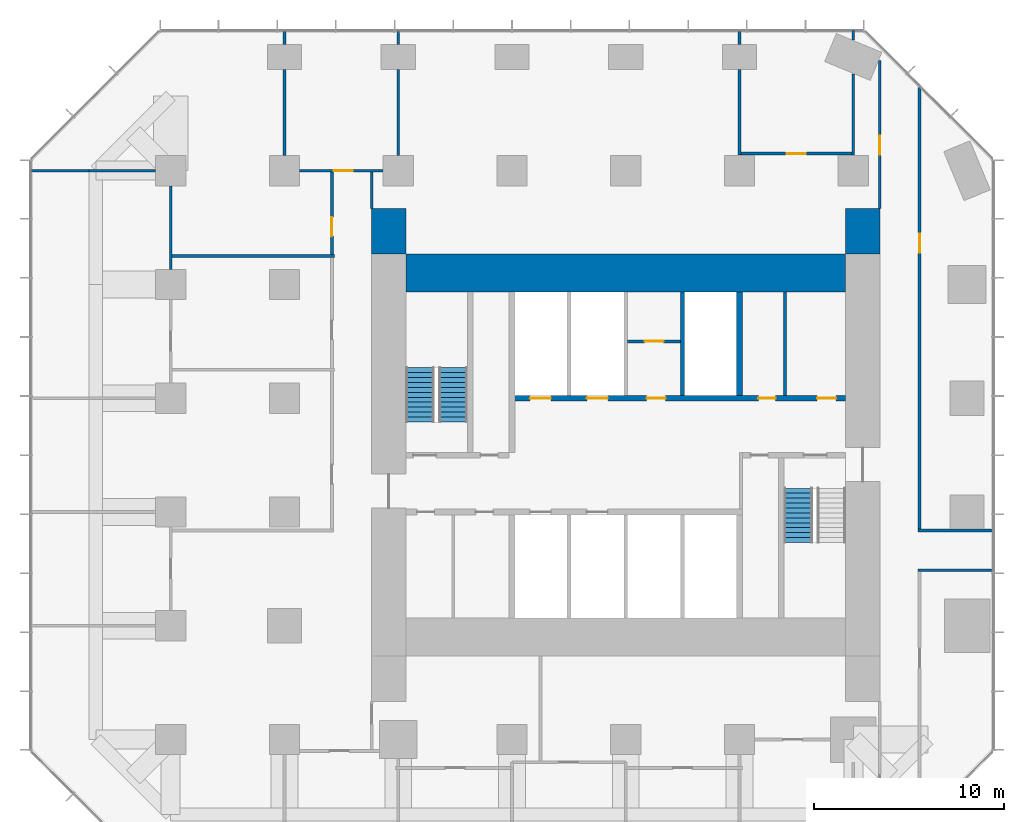
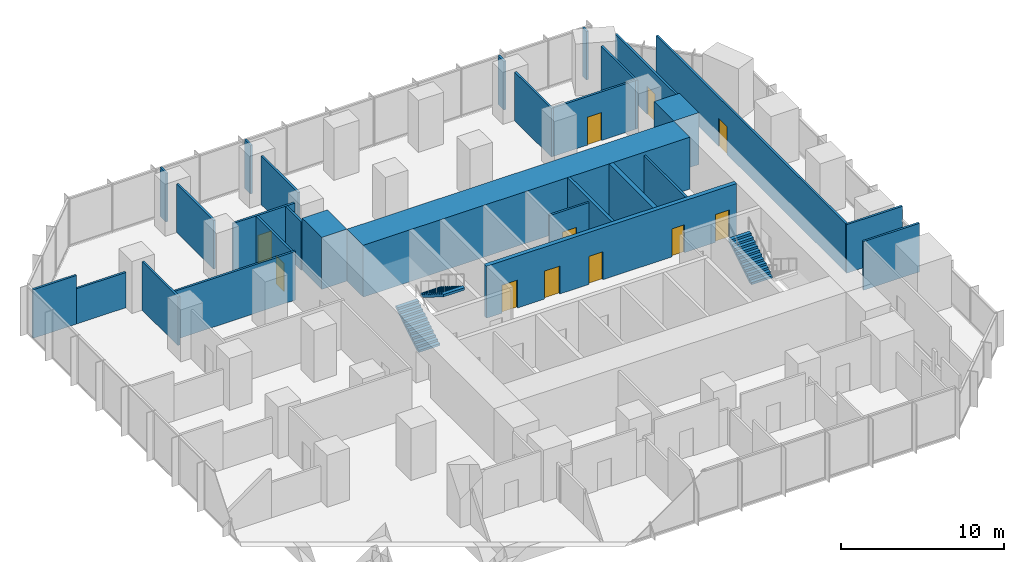
# One storey, part 11 of 13: 28 walls, 11 doors, 3 stair flights, 11 openings, 2 elements without a shape of their own.
"""IFC4 building model written with IfcOpenShell, lengths in metres."""

from ifc_helpers import new_model, si_unit, direction, frame, frame_2d, origin, place, context, subcontext, project, spatial, polyline, rectangle, outline, extrude, material, layer, layer_set, type_object, element, fill, aggregate, save


model = new_model("IFC4")

# Units and contexts
model_context = context("Model", 3, precision=1e-05, world=origin(), true_north=direction((0.0, 1.0)))
body_context = subcontext(model_context, "Body", "Model", "MODEL_VIEW")
ifc_project = project(units=[si_unit("LENGTHUNIT", "METRE"), si_unit("AREAUNIT", "SQUARE_METRE"), si_unit("VOLUMEUNIT", "CUBIC_METRE"), si_unit("PLANEANGLEUNIT", "RADIAN"), si_unit("MASSUNIT", "GRAM", prefix="KILO")], contexts=[model_context])

# Site, building, storey
site_placement = place(None, origin())
site = spatial("IfcSite", under=ifc_project, at=site_placement, CompositionType="ELEMENT")
building_placement = place(site_placement, origin())
building = spatial("IfcBuilding", under=site, at=building_placement, Name="Highveld Stack Headquarters", CompositionType="ELEMENT")
storey_placement = place(building_placement, frame((0.0, 0.0, 136.699951171875)))
storey = spatial("IfcBuildingStorey", under=building, at=storey_placement, Name="L33", CompositionType="ELEMENT", Elevation=136.699951171875)

# Wall
ifc_material_1 = material(Name="Concrete C60/75", Category="concrete")
ifc_layer_1 = layer(ifc_material_1, 2.0)
ifc_layer_set_1 = layer_set([ifc_layer_1], Name="Concrete C60/75")
wall_type_1 = type_object("IfcWallType", Name="CORE WALL 2000 C60/75", PredefinedType="SHEAR", material=ifc_layer_set_1)
wall_1_placement = place(storey_placement, frame((-5.60009765625, 12.60009765625, 0.0), z_axis=(0.0, 0.0, 1.0), x_axis=(1.0, 0.0, 0.0)))
element("IfcWall", 1, at=wall_1_placement, inside=storey, type_object=wall_type_1, Name="Core wall N L33", PredefinedType="SHEAR", context=body_context, shape_type="SweptSolid", body=[
    extrude(rectangle(XDim=23.2001953125, YDim=2.0, at=frame_2d((11.60009765625, 0.0))), origin(), (0.0, 0.0, 1.0), 3.900146484375),
])

# Wall, openings, doors
ifc_material_2 = material(Name="Concrete C60/75", Category="concrete")
ifc_layer_2 = layer(ifc_material_2, 0.300048828125)
ifc_layer_set_2 = layer_set([ifc_layer_2], Name="Concrete C60/75")
wall_type_2 = type_object("IfcWallType", Name="CORE WALL 300 C60/75", PredefinedType="SHEAR", material=ifc_layer_set_2)
wall_2_placement = place(storey_placement, frame((-0.14990234375, 6.0, 0.0), z_axis=(0.0, 0.0, 1.0), x_axis=(1.0, 0.0, 0.0)))
wall_2 = element("IfcWall", 2, at=wall_2_placement, inside=storey, type_object=wall_type_2, Name="Core wall I-Y6 L33", PredefinedType="SHEAR", context=body_context, shape_type="SweptSolid", body=[
    extrude(rectangle(XDim=17.75, YDim=0.300048828125, at=frame_2d((8.875, 0.0))), origin(), (0.0, 0.0, 1.0), 3.900146484375),
])
opening_1_placement = place(wall_2_placement, frame((13.14990234375, 0.0, 0.0)))
opening_1 = element("IfcOpeningElement", 3, at=opening_1_placement, cuts=wall_2, Name="Opening L33-09", PredefinedType="OPENING", context=body_context, shape_type="SweptSolid", body=[
    extrude(rectangle(XDim=0.89990234375, YDim=2.10009765625, at=frame_2d((0.449951171875, 1.050048828125))), frame((0.0, 0.159912109375, 0.0), z_axis=(0.0, -1.0, 0.0), x_axis=(1.0, 0.0, 0.0)), (0.0, 0.0, 1.0), 0.320068359375),
])
opening_2_placement = place(wall_2_placement, frame((16.25, 0.0, 0.0)))
opening_2 = element("IfcOpeningElement", 4, at=opening_2_placement, cuts=wall_2, Name="Opening L33-10", PredefinedType="OPENING", context=body_context, shape_type="SweptSolid", body=[
    extrude(rectangle(XDim=1.0, YDim=2.10009765625, at=frame_2d((0.5, 1.050048828125))), frame((0.0, 0.159912109375, 0.0), z_axis=(0.0, -1.0, 0.0), x_axis=(1.0, 0.0, 0.0)), (0.0, 0.0, 1.0), 0.320068359375),
])
opening_3_placement = place(wall_2_placement, frame((7.25, 0.0, 0.0)))
opening_3 = element("IfcOpeningElement", 5, at=opening_3_placement, cuts=wall_2, Name="Opening L33-12", PredefinedType="OPENING", context=body_context, shape_type="SweptSolid", body=[
    extrude(rectangle(XDim=1.0, YDim=2.10009765625, at=frame_2d((0.5, 1.050048828125))), frame((0.0, 0.159912109375, 0.0), z_axis=(0.0, -1.0, 0.0), x_axis=(1.0, 0.0, 0.0)), (0.0, 0.0, 1.0), 0.320068359375),
])
opening_4_placement = place(wall_2_placement, frame((1.10009765625, 0.0, 0.0)))
opening_4 = element("IfcOpeningElement", 6, at=opening_4_placement, cuts=wall_2, Name="Opening LD", PredefinedType="OPENING", context=body_context, shape_type="SweptSolid", body=[
    extrude(rectangle(XDim=1.10009765625, YDim=2.10009765625, at=frame_2d((0.550048828125, 1.050048828125))), frame((0.0, 0.159912109375, 0.0), z_axis=(0.0, -1.0, 0.0), x_axis=(1.0, 0.0, 0.0)), (0.0, 0.0, 1.0), 0.320068359375),
])
opening_5_placement = place(wall_2_placement, frame((4.10009765625, 0.0, 0.0)))
opening_5 = element("IfcOpeningElement", 7, at=opening_5_placement, cuts=wall_2, Name="Opening LD", PredefinedType="OPENING", context=body_context, shape_type="SweptSolid", body=[
    extrude(rectangle(XDim=1.10009765625, YDim=2.10009765625, at=frame_2d((0.550048828125, 1.050048828125))), frame((0.0, 0.159912109375, 0.0), z_axis=(0.0, -1.0, 0.0), x_axis=(1.0, 0.0, 0.0)), (0.0, 0.0, 1.0), 0.320068359375),
])
ifc_material_3 = material(Name="Timber door, painted", Category="wood")
door_type_1 = type_object("IfcDoorType", Name="ACCESSIBLE WC DOOR D2 1000x2100", OperationType="SINGLE_SWING_RIGHT", PredefinedType="DOOR", material=ifc_material_3)
door_1_placement = place(opening_2_placement, origin())
door_1 = element("IfcDoor", 8, at=door_1_placement, inside=storey, type_object=door_type_1, Name="Accessible WC door L33", OperationType="SINGLE_SWING_RIGHT", OverallHeight=2.10009765625, OverallWidth=1.0, PredefinedType="DOOR", context=body_context, shape_type="SweptSolid", body=[
    extrude(rectangle(XDim=1.0, YDim=2.10009765625, at=frame_2d((0.5, 1.050048828125))), frame((0.0, 0.02490234375, 0.0), z_axis=(0.0, -1.0, 0.0), x_axis=(1.0, 0.0, 0.0)), (0.0, 0.0, 1.0), 0.050048828125),
])
fill(opening_2, door_1)
ifc_material_4 = material(Name="Steel fire door", Category="steel")
door_type_2 = type_object("IfcDoorType", Name="CORE ROOM FIRE DOOR D14 1000x2100", OperationType="SINGLE_SWING_LEFT", PredefinedType="DOOR", material=ifc_material_4)
door_2_placement = place(opening_3_placement, origin())
door_2 = element("IfcDoor", 9, at=door_2_placement, inside=storey, type_object=door_type_2, Name="Capped A 1 door L33", OperationType="SINGLE_SWING_LEFT", OverallHeight=2.10009765625, OverallWidth=1.0, PredefinedType="DOOR", context=body_context, shape_type="SweptSolid", body=[
    extrude(rectangle(XDim=1.0, YDim=2.10009765625, at=frame_2d((0.5, 1.050048828125))), frame((0.0, 0.02490234375, 0.0), z_axis=(0.0, -1.0, 0.0), x_axis=(1.0, 0.0, 0.0)), (0.0, 0.0, 1.0), 0.050048828125),
])
fill(opening_3, door_2)
ifc_material_5 = material(Name="Stainless steel lift landing door", Category="steel")
door_type_3 = type_object("IfcDoorType", Name="LIFT LANDING DOOR LD 1100x2100", OperationType="DOUBLE_DOOR_SLIDING", PredefinedType="USERDEFINED", material=ifc_material_5)
door_3_placement = place(opening_4_placement, origin())
door_3 = element("IfcDoor", 10, at=door_3_placement, inside=storey, type_object=door_type_3, Name="Lift landing door FF1 L33", ObjectType="LIFT LANDING DOOR", OperationType="DOUBLE_DOOR_SLIDING", OverallHeight=2.10009765625, OverallWidth=1.10009765625, PredefinedType="USERDEFINED", context=body_context, shape_type="SweptSolid", body=[
    extrude(rectangle(XDim=1.10009765625, YDim=2.10009765625, at=frame_2d((0.550048828125, 1.050048828125))), frame((0.0, 0.02490234375, 0.0), z_axis=(0.0, -1.0, 0.0), x_axis=(1.0, 0.0, 0.0)), (0.0, 0.0, 1.0), 0.050048828125),
])
fill(opening_4, door_3)
door_4_placement = place(opening_5_placement, origin())
door_4 = element("IfcDoor", 11, at=door_4_placement, inside=storey, type_object=door_type_3, Name="Lift landing door FF2 L33", ObjectType="LIFT LANDING DOOR", OperationType="DOUBLE_DOOR_SLIDING", OverallHeight=2.10009765625, OverallWidth=1.10009765625, PredefinedType="USERDEFINED", context=body_context, shape_type="SweptSolid", body=[
    extrude(rectangle(XDim=1.10009765625, YDim=2.10009765625, at=frame_2d((0.550048828125, 1.050048828125))), frame((0.0, 0.02490234375, 0.0), z_axis=(0.0, -1.0, 0.0), x_axis=(1.0, 0.0, 0.0)), (0.0, 0.0, 1.0), 0.050048828125),
])
fill(opening_5, door_4)
ifc_material_6 = material(Name="Timber door, painted", Category="wood")
door_type_4 = type_object("IfcDoorType", Name="WC DOOR D1 900x2100", OperationType="SINGLE_SWING_LEFT", PredefinedType="DOOR", material=ifc_material_6)
door_5_placement = place(opening_1_placement, origin())
door_5 = element("IfcDoor", 12, at=door_5_placement, inside=storey, type_object=door_type_4, Name="Male WC door L33", OperationType="SINGLE_SWING_RIGHT", OverallHeight=2.10009765625, OverallWidth=0.89990234375, PredefinedType="DOOR", context=body_context, shape_type="SweptSolid", body=[
    extrude(rectangle(XDim=0.89990234375, YDim=2.10009765625, at=frame_2d((0.449951171875, 1.050048828125))), frame((0.0, 0.02490234375, 0.0), z_axis=(0.0, -1.0, 0.0), x_axis=(1.0, 0.0, 0.0)), (0.0, 0.0, 1.0), 0.050048828125),
])
fill(opening_1, door_5)

# Walls
wall_3_placement = place(storey_placement, frame((12.0, 6.14990234375, 0.0), z_axis=(0.0, 0.0, 1.0), x_axis=(0.0, 1.0, 0.0)))
element("IfcWall", 13, at=wall_3_placement, inside=storey, type_object=wall_type_2, Name="Core wall I-X12N L33", PredefinedType="SHEAR", context=body_context, shape_type="SweptSolid", body=[
    extrude(rectangle(XDim=5.4501953125, YDim=0.300048828125, at=frame_2d((2.72509765625, 0.0))), origin(), (0.0, 0.0, 1.0), 3.900146484375),
])
ifc_material_7 = material(Name="Concrete C60/75", Category="concrete")
ifc_layer_3 = layer(ifc_material_7, 1.800048828125)
ifc_layer_set_3 = layer_set([ifc_layer_3], Name="Concrete C60/75")
wall_type_3 = type_object("IfcWallType", Name="CORE WING WALL 1800 C60/75", PredefinedType="SHEAR", material=ifc_layer_set_3)
for number, where, z_axis, x_axis, name in (
    (14, (-6.5, 13.60009765625, 0.0), (0.0, 0.0, 1.0), (0.0, 1.0, 0.0), "Core wing wall WN L33"),
    (15, (18.5, 13.60009765625, 0.0), (0.0, 0.0, 1.0), (0.0, 1.0, 0.0), "Core wing wall EN L33"),
):
    element("IfcWall", number, at=place(storey_placement, frame(where, z_axis=z_axis, x_axis=x_axis)), inside=storey, type_object=wall_type_3, Name=name, PredefinedType="SHEAR", context=body_context, shape_type="SweptSolid", body=[
        extrude(rectangle(XDim=2.39990234375, YDim=1.800048828125, at=frame_2d((1.199951171875, 0.0))), origin(), (0.0, 0.0, 1.0), 3.900146484375),
    ])

# Wall, opening, door
ifc_material_8 = material(Name="Concrete blockwork, plastered", Category="masonry")
ifc_layer_4 = layer(ifc_material_8, 0.14990234375)
ifc_layer_set_4 = layer_set([ifc_layer_4], Name="Concrete blockwork, plastered")
wall_type_4 = type_object("IfcWallType", Name="FIRE PARTITION 150 BLOCKWORK", PredefinedType="PARTITIONING", material=ifc_layer_set_4)
wall_4_placement = place(storey_placement, frame((6.10009765625, 9.0, 0.0), z_axis=(0.0, 0.0, 1.0), x_axis=(1.0, 0.0, 0.0)))
wall_4 = element("IfcWall", 16, at=wall_4_placement, inside=storey, type_object=wall_type_4, Name="Core room partition L33", PredefinedType="PARTITIONING", context=body_context, shape_type="SweptSolid", body=[
    extrude(rectangle(XDim=2.7998046875, YDim=0.14990234375, at=frame_2d((1.39990234375, 0.0))), origin(), (0.0, 0.0, 1.0), 3.650146484375),
])
opening_6_placement = place(wall_4_placement, frame((0.89990234375, 0.0, 0.0)))
opening_6 = element("IfcOpeningElement", 17, at=opening_6_placement, cuts=wall_4, Name="Opening L33-11", PredefinedType="OPENING", context=body_context, shape_type="SweptSolid", body=[
    extrude(rectangle(XDim=1.0, YDim=2.10009765625, at=frame_2d((0.5, 1.050048828125))), frame((0.0, 0.0849609375, 0.0), z_axis=(0.0, -1.0, 0.0), x_axis=(1.0, 0.0, 0.0)), (0.0, 0.0, 1.0), 0.169921875),
])
door_6_placement = place(opening_6_placement, origin())
door_6 = element("IfcDoor", 18, at=door_6_placement, inside=storey, type_object=door_type_2, Name="Capped A 2 door L33", OperationType="SINGLE_SWING_RIGHT", OverallHeight=2.10009765625, OverallWidth=1.0, PredefinedType="DOOR", context=body_context, shape_type="SweptSolid", body=[
    extrude(rectangle(XDim=1.0, YDim=2.10009765625, at=frame_2d((0.5, 1.050048828125))), frame((0.0, 0.02490234375, 0.0), z_axis=(0.0, -1.0, 0.0), x_axis=(1.0, 0.0, 0.0)), (0.0, 0.0, 1.0), 0.050048828125),
])
fill(opening_6, door_6)

# Walls
ifc_material_9 = material(Name="Concrete blockwork, fair-faced", Category="masonry")
ifc_layer_5 = layer(ifc_material_9, 0.199951171875)
ifc_layer_set_5 = layer_set([ifc_layer_5], Name="Concrete blockwork, fair-faced")
wall_type_5 = type_object("IfcWallType", Name="LIFT SHAFT ENCLOSURE WALL 200 BLOCKWORK", PredefinedType="SOLIDWALL", material=ifc_layer_set_5)
wall_5_placement = place(storey_placement, frame((9.0, 6.14990234375, 0.0), z_axis=(0.0, 0.0, 1.0), x_axis=(0.0, 1.0, 0.0)))
element("IfcWall", 19, at=wall_5_placement, inside=storey, type_object=wall_type_5, Name="Lift shaft wall L33", PredefinedType="SOLIDWALL", context=body_context, shape_type="SweptSolid", body=[
    extrude(rectangle(XDim=5.4501953125, YDim=0.199951171875, at=frame_2d((2.72509765625, 0.0))), origin(), (0.0, 0.0, 1.0), 3.900146484375),
])
ifc_material_10 = material(Name="Gypsum plasterboard on steel studs", Category="steel")
ifc_layer_6 = layer(ifc_material_10, 0.14990234375)
ifc_layer_set_6 = layer_set([ifc_layer_6], Name="Gypsum plasterboard on steel studs")
wall_type_6 = type_object("IfcWallType", Name="PARTITION 150 PLASTERBOARD", PredefinedType="PARTITIONING", material=ifc_layer_set_6)
wall_6_placement = place(storey_placement, frame((-25.39990234375, 18.0, 0.0), z_axis=(0.0, 0.0, 1.0), x_axis=(1.0, 0.0, 0.0)))
element("IfcWall", 20, at=wall_6_placement, inside=storey, type_object=wall_type_6, Name="Partition Team office L33", PredefinedType="PARTITIONING", context=body_context, shape_type="SweptSolid", body=[
    extrude(rectangle(XDim=3.08984375, YDim=0.14990234375, at=frame_2d((1.544921875, 0.0))), origin(), (0.0, 0.0, 1.0), 3.650146484375),
])
wall_7_placement = place(storey_placement, frame((-22.31005859375, 18.0, 0.0), z_axis=(0.0, 0.0, 1.0), x_axis=(1.0, 0.0, 0.0)))
element("IfcWall", 21, at=wall_7_placement, inside=storey, type_object=wall_type_6, Name="Partition Team office L33", PredefinedType="PARTITIONING", context=body_context, shape_type="SweptSolid", body=[
    extrude(rectangle(XDim=3.510009765625, YDim=0.14990234375, at=frame_2d((1.7548828125, 0.0))), origin(), (0.0, 0.0, 1.0), 2.650146484375),
])

# Wall, opening, door
wall_8_placement = place(storey_placement, frame((-11.199951171875, 18.0, 0.0), z_axis=(0.0, 0.0, 1.0), x_axis=(1.0, 0.0, 0.0)))
wall_8 = element("IfcWall", 22, at=wall_8_placement, inside=storey, type_object=wall_type_6, Name="Partition Office L33", PredefinedType="PARTITIONING", context=body_context, shape_type="SweptSolid", body=[
    extrude(rectangle(XDim=4.39990234375, YDim=0.14990234375, at=frame_2d((2.199951171875, 0.0))), origin(), (0.0, 0.0, 1.0), 3.650146484375),
])
opening_7_placement = place(wall_8_placement, frame((1.800048828125, 0.0, 0.0)))
opening_7 = element("IfcOpeningElement", 23, at=opening_7_placement, cuts=wall_8, Name="Opening L33-20", PredefinedType="OPENING", context=body_context, shape_type="SweptSolid", body=[
    extrude(rectangle(XDim=1.0, YDim=2.10009765625, at=frame_2d((0.5, 1.050048828125))), frame((0.0, 0.0849609375, 0.0), z_axis=(0.0, -1.0, 0.0), x_axis=(1.0, 0.0, 0.0)), (0.0, 0.0, 1.0), 0.169921875),
])
ifc_material_11 = material(Name="Timber door, oiled ash", Category="wood")
door_type_5 = type_object("IfcDoorType", Name="ROOM DOOR D6 1000x2100", OperationType="SINGLE_SWING_LEFT", PredefinedType="DOOR", material=ifc_material_11)
door_7_placement = place(opening_7_placement, origin())
door_7 = element("IfcDoor", 24, at=door_7_placement, inside=storey, type_object=door_type_5, Name="Office door 1 L33", OperationType="SINGLE_SWING_RIGHT", OverallHeight=2.10009765625, OverallWidth=1.0, PredefinedType="DOOR", context=body_context, shape_type="SweptSolid", body=[
    extrude(rectangle(XDim=1.0, YDim=2.10009765625, at=frame_2d((0.5, 1.050048828125))), frame((0.0, 0.02490234375, 0.0), z_axis=(0.0, -1.0, 0.0), x_axis=(1.0, 0.0, 0.0)), (0.0, 0.0, 1.0), 0.050048828125),
])
fill(opening_7, door_7)

wall_9_placement = place(storey_placement, frame((12.074951171875, 18.89990234375, 0.0), z_axis=(0.0, 0.0, 1.0), x_axis=(1.0, 0.0, 0.0)))
wall_9 = element("IfcWall", 25, at=wall_9_placement, inside=storey, type_object=wall_type_6, Name="Partition Interview room L33", PredefinedType="PARTITIONING", context=body_context, shape_type="SweptSolid", body=[
    extrude(rectangle(XDim=5.85009765625, YDim=0.14990234375, at=frame_2d((2.925048828125, 0.0))), origin(), (0.0, 0.0, 1.0), 3.650146484375),
])
opening_8_placement = place(wall_9_placement, frame((2.425048828125, 0.0, 0.0)))
opening_8 = element("IfcOpeningElement", 26, at=opening_8_placement, cuts=wall_9, Name="Opening L33-21", PredefinedType="OPENING", context=body_context, shape_type="SweptSolid", body=[
    extrude(rectangle(XDim=1.0, YDim=2.10009765625, at=frame_2d((0.5, 1.050048828125))), frame((0.0, 0.0849609375, 0.0), z_axis=(0.0, -1.0, 0.0), x_axis=(1.0, 0.0, 0.0)), (0.0, 0.0, 1.0), 0.169921875),
])
door_8_placement = place(opening_8_placement, origin())
door_8 = element("IfcDoor", 27, at=door_8_placement, inside=storey, type_object=door_type_5, Name="Interview room door 1 L33", OperationType="SINGLE_SWING_LEFT", OverallHeight=2.10009765625, OverallWidth=1.0, PredefinedType="DOOR", context=body_context, shape_type="SweptSolid", body=[
    extrude(rectangle(XDim=1.0, YDim=2.10009765625, at=frame_2d((0.5, 1.050048828125))), frame((0.0, 0.02490234375, 0.0), z_axis=(0.0, -1.0, 0.0), x_axis=(1.0, 0.0, 0.0)), (0.0, 0.0, 1.0), 0.050048828125),
])
fill(opening_8, door_8)

# Walls
wall_10_placement = place(storey_placement, frame((-18.0, 12.800048828125, 0.0), z_axis=(0.0, 0.0, 1.0), x_axis=(0.0, 1.0, 0.0)))
element("IfcWall", 28, at=wall_10_placement, inside=storey, type_object=wall_type_6, Name="Partition Team office L33", PredefinedType="PARTITIONING", context=body_context, shape_type="SweptSolid", body=[
    extrude(rectangle(XDim=4.39990234375, YDim=0.14990234375, at=frame_2d((2.199951171875, 0.0))), origin(), (0.0, 0.0, 1.0), 3.650146484375),
])
wall_11_placement = place(storey_placement, frame((-12.0, 18.800048828125, 0.0), z_axis=(0.0, 0.0, 1.0), x_axis=(0.0, 1.0, 0.0)))
element("IfcWall", 29, at=wall_11_placement, inside=storey, type_object=wall_type_6, Name="Partition Office L33", PredefinedType="PARTITIONING", context=body_context, shape_type="SweptSolid", body=[
    extrude(rectangle(XDim=4.550048828125, YDim=0.14990234375, at=frame_2d((2.27490234375, 0.0))), origin(), (0.0, 0.0, 1.0), 3.650146484375),
])
wall_12_placement = place(storey_placement, frame((-12.0, 24.64990234375, 0.0), z_axis=(0.0, 0.0, 1.0), x_axis=(0.0, 1.0, 0.0)))
element("IfcWall", 30, at=wall_12_placement, inside=storey, type_object=wall_type_6, Name="Partition Office L33", PredefinedType="PARTITIONING", context=body_context, shape_type="SweptSolid", body=[
    extrude(rectangle(XDim=0.75, YDim=0.14990234375, at=frame_2d((0.375, 0.0))), origin(), (0.0, 0.0, 1.0), 3.650146484375),
])
wall_13_placement = place(storey_placement, frame((-6.0, 18.800048828125, 0.0), z_axis=(0.0, 0.0, 1.0), x_axis=(0.0, 1.0, 0.0)))
element("IfcWall", 31, at=wall_13_placement, inside=storey, type_object=wall_type_6, Name="Partition Office L33", PredefinedType="PARTITIONING", context=body_context, shape_type="SweptSolid", body=[
    extrude(rectangle(XDim=4.550048828125, YDim=0.14990234375, at=frame_2d((2.27490234375, 0.0))), origin(), (0.0, 0.0, 1.0), 3.650146484375),
])
wall_14_placement = place(storey_placement, frame((-6.0, 24.64990234375, 0.0), z_axis=(0.0, 0.0, 1.0), x_axis=(0.0, 1.0, 0.0)))
element("IfcWall", 32, at=wall_14_placement, inside=storey, type_object=wall_type_6, Name="Partition Office L33", PredefinedType="PARTITIONING", context=body_context, shape_type="SweptSolid", body=[
    extrude(rectangle(XDim=0.75, YDim=0.14990234375, at=frame_2d((0.375, 0.0))), origin(), (0.0, 0.0, 1.0), 3.650146484375),
])
wall_15_placement = place(storey_placement, frame((12.0, 18.824951171875, 0.0), z_axis=(0.0, 0.0, 1.0), x_axis=(0.0, 1.0, 0.0)))
element("IfcWall", 33, at=wall_15_placement, inside=storey, type_object=wall_type_6, Name="Partition Interview room L33", PredefinedType="PARTITIONING", context=body_context, shape_type="SweptSolid", body=[
    extrude(rectangle(XDim=4.525146484375, YDim=0.14990234375, at=frame_2d((2.2626953125, 0.0))), origin(), (0.0, 0.0, 1.0), 3.650146484375),
])
wall_16_placement = place(storey_placement, frame((12.0, 24.64990234375, 0.0), z_axis=(0.0, 0.0, 1.0), x_axis=(0.0, 1.0, 0.0)))
element("IfcWall", 34, at=wall_16_placement, inside=storey, type_object=wall_type_6, Name="Partition Interview room L33", PredefinedType="PARTITIONING", context=body_context, shape_type="SweptSolid", body=[
    extrude(rectangle(XDim=0.75, YDim=0.14990234375, at=frame_2d((0.375, 0.0))), origin(), (0.0, 0.0, 1.0), 3.650146484375),
])
wall_17_placement = place(storey_placement, frame((18.0, 18.824951171875, 0.0), z_axis=(0.0, 0.0, 1.0), x_axis=(0.0, 1.0, 0.0)))
element("IfcWall", 35, at=wall_17_placement, inside=storey, type_object=wall_type_6, Name="Partition Interview room L33", PredefinedType="PARTITIONING", context=body_context, shape_type="SweptSolid", body=[
    extrude(rectangle(XDim=4.278076171875, YDim=0.14990234375, at=frame_2d((2.13916015625, 0.0))), origin(), (0.0, 0.0, 1.0), 3.650146484375),
])
wall_18_placement = place(storey_placement, frame((18.0, 24.89697265625, 0.0), z_axis=(0.0, 0.0, 1.0), x_axis=(0.0, 1.0, 0.0)))
element("IfcWall", 36, at=wall_18_placement, inside=storey, type_object=wall_type_6, Name="Partition Interview room L33", PredefinedType="PARTITIONING", context=body_context, shape_type="SweptSolid", body=[
    extrude(rectangle(XDim=0.5029296875, YDim=0.14990234375, at=frame_2d((0.25146484375, 0.0))), origin(), (0.0, 0.0, 1.0), 3.650146484375),
])
wall_19_placement = place(storey_placement, frame((-17.925048828125, 13.5, 0.0), z_axis=(0.0, 0.0, 1.0), x_axis=(1.0, 0.0, 0.0)))
element("IfcWall", 37, at=wall_19_placement, inside=storey, type_object=wall_type_6, Name="Partition office neighbourhood L33", PredefinedType="PARTITIONING", context=body_context, shape_type="SweptSolid", body=[
    extrude(rectangle(XDim=8.574951171875, YDim=0.14990234375, at=frame_2d((4.28759765625, 0.0))), origin(), (0.0, 0.0, 1.0), 3.650146484375),
])

# Wall, opening, door
wall_20_placement = place(storey_placement, frame((-9.5, 13.574951171875, 0.0), z_axis=(0.0, 0.0, 1.0), x_axis=(0.0, 1.0, 0.0)))
wall_20 = element("IfcWall", 38, at=wall_20_placement, inside=storey, type_object=wall_type_6, Name="Partition office neighbourhood L33", PredefinedType="PARTITIONING", context=body_context, shape_type="SweptSolid", body=[
    extrude(rectangle(XDim=4.35009765625, YDim=0.14990234375, at=frame_2d((2.175048828125, 0.0))), origin(), (0.0, 0.0, 1.0), 3.650146484375),
])
opening_9_placement = place(wall_20_placement, frame((0.97412109375, 0.0, 0.0)))
opening_9 = element("IfcOpeningElement", 39, at=opening_9_placement, cuts=wall_20, Name="Opening L33-27", PredefinedType="OPENING", context=body_context, shape_type="SweptSolid", body=[
    extrude(rectangle(XDim=1.0, YDim=2.10009765625, at=frame_2d((0.5, 1.050048828125))), frame((0.0, 0.0849609375, 0.0), z_axis=(0.0, -1.0, 0.0), x_axis=(1.0, 0.0, 0.0)), (0.0, 0.0, 1.0), 0.169921875),
])
door_9_placement = place(opening_9_placement, origin())
door_9 = element("IfcDoor", 40, at=door_9_placement, inside=storey, type_object=door_type_5, Name="Office neighbourhood door L33", OperationType="SINGLE_SWING_LEFT", OverallHeight=2.10009765625, OverallWidth=1.0, PredefinedType="DOOR", context=body_context, shape_type="SweptSolid", body=[
    extrude(rectangle(XDim=1.0, YDim=2.10009765625, at=frame_2d((0.5, 1.050048828125))), frame((0.0, 0.02490234375, 0.0), z_axis=(0.0, -1.0, 0.0), x_axis=(1.0, 0.0, 0.0)), (0.0, 0.0, 1.0), 0.050048828125),
])
fill(opening_9, door_9)

# Wall
wall_21_placement = place(storey_placement, frame((-7.39990234375, 16.0, 0.0), z_axis=(0.0, 0.0, 1.0), x_axis=(0.0, 1.0, 0.0)))
element("IfcWall", 41, at=wall_21_placement, inside=storey, type_object=wall_type_6, Name="Partition office neighbourhood L33", PredefinedType="PARTITIONING", context=body_context, shape_type="SweptSolid", body=[
    extrude(rectangle(XDim=1.925048828125, YDim=0.14990234375, at=frame_2d((0.96240234375, 0.0))), origin(), (0.0, 0.0, 1.0), 3.650146484375),
])

# Wall, opening, door
wall_22_placement = place(storey_placement, frame((19.39990234375, 16.0, 0.0), z_axis=(0.0, 0.0, 1.0), x_axis=(0.0, 1.0, 0.0)))
wall_22 = element("IfcWall", 42, at=wall_22_placement, inside=storey, type_object=wall_type_6, Name="Partition office neighbourhood L33", PredefinedType="PARTITIONING", context=body_context, shape_type="SweptSolid", body=[
    extrude(rectangle(XDim=7.8017578125, YDim=0.14990234375, at=frame_2d((3.90087890625, 0.0))), origin(), (0.0, 0.0, 1.0), 3.650146484375),
])
opening_10_placement = place(wall_22_placement, frame((2.85009765625, 0.0, 0.0)))
opening_10 = element("IfcOpeningElement", 43, at=opening_10_placement, cuts=wall_22, Name="Opening L33-28", PredefinedType="OPENING", context=body_context, shape_type="SweptSolid", body=[
    extrude(rectangle(XDim=1.0, YDim=2.10009765625, at=frame_2d((0.5, 1.050048828125))), frame((0.0, 0.0849609375, 0.0), z_axis=(0.0, -1.0, 0.0), x_axis=(1.0, 0.0, 0.0)), (0.0, 0.0, 1.0), 0.169921875),
])
door_10_placement = place(opening_10_placement, origin())
door_10 = element("IfcDoor", 44, at=door_10_placement, inside=storey, type_object=door_type_5, Name="Office neighbourhood door L33", OperationType="SINGLE_SWING_LEFT", OverallHeight=2.10009765625, OverallWidth=1.0, PredefinedType="DOOR", context=body_context, shape_type="SweptSolid", body=[
    extrude(rectangle(XDim=1.0, YDim=2.10009765625, at=frame_2d((0.5, 1.050048828125))), frame((0.0, 0.02490234375, 0.0), z_axis=(0.0, -1.0, 0.0), x_axis=(1.0, 0.0, 0.0)), (0.0, 0.0, 1.0), 0.050048828125),
])
fill(opening_10, door_10)

# Wall
wall_23_placement = place(storey_placement, frame((21.425048828125, -3.074951171875, 0.0), z_axis=(0.0, 0.0, 1.0), x_axis=(1.0, 0.0, 0.0)))
element("IfcWall", 45, at=wall_23_placement, inside=storey, type_object=wall_type_6, Name="Partition office neighbourhood L33", PredefinedType="PARTITIONING", context=body_context, shape_type="SweptSolid", body=[
    extrude(rectangle(XDim=3.974853515625, YDim=0.14990234375, at=frame_2d((1.9873046875, 0.0))), origin(), (0.0, 0.0, 1.0), 3.650146484375),
])

# Wall, opening, door
wall_24_placement = place(storey_placement, frame((21.5, -0.89990234375, 0.0), z_axis=(0.0, 0.0, 1.0), x_axis=(0.0, 1.0, 0.0)))
wall_24 = element("IfcWall", 46, at=wall_24_placement, inside=storey, type_object=wall_type_6, Name="Partition office neighbourhood L33", PredefinedType="PARTITIONING", context=body_context, shape_type="SweptSolid", body=[
    extrude(rectangle(XDim=23.287841796875, YDim=0.14990234375, at=frame_2d((11.64404296875, 0.0))), origin(), (0.0, 0.0, 1.0), 3.650146484375),
])
opening_11_placement = place(wall_24_placement, frame((14.5791015625, 0.0, 0.0)))
opening_11 = element("IfcOpeningElement", 47, at=opening_11_placement, cuts=wall_24, Name="Opening L33-25", PredefinedType="OPENING", context=body_context, shape_type="SweptSolid", body=[
    extrude(rectangle(XDim=1.0, YDim=2.10009765625, at=frame_2d((0.5, 1.050048828125))), frame((0.0, 0.0849609375, 0.0), z_axis=(0.0, -1.0, 0.0), x_axis=(1.0, 0.0, 0.0)), (0.0, 0.0, 1.0), 0.169921875),
])
door_11_placement = place(opening_11_placement, origin())
door_11 = element("IfcDoor", 48, at=door_11_placement, inside=storey, type_object=door_type_5, Name="Office neighbourhood door L33", OperationType="SINGLE_SWING_RIGHT", OverallHeight=2.10009765625, OverallWidth=1.0, PredefinedType="DOOR", context=body_context, shape_type="SweptSolid", body=[
    extrude(rectangle(XDim=1.0, YDim=2.10009765625, at=frame_2d((0.5, 1.050048828125))), frame((0.0, 0.02490234375, 0.0), z_axis=(0.0, -1.0, 0.0), x_axis=(1.0, 0.0, 0.0)), (0.0, 0.0, 1.0), 0.050048828125),
])
fill(opening_11, door_11)

# Walls
wall_25_placement = place(storey_placement, frame((21.425048828125, -0.97509765625, 0.0), z_axis=(0.0, 0.0, 1.0), x_axis=(1.0, 0.0, 0.0)))
element("IfcWall", 49, at=wall_25_placement, inside=storey, type_object=wall_type_6, Name="Partition office neighbourhood L33", PredefinedType="PARTITIONING", context=body_context, shape_type="SweptSolid", body=[
    extrude(rectangle(XDim=3.974853515625, YDim=0.14990234375, at=frame_2d((1.9873046875, 0.0))), origin(), (0.0, 0.0, 1.0), 3.650146484375),
])
ifc_material_12 = material(Name="Concrete blockwork, tiled", Category="masonry")
ifc_layer_7 = layer(ifc_material_12, 0.14990234375)
ifc_layer_set_7 = layer_set([ifc_layer_7], Name="Concrete blockwork, tiled")
wall_type_7 = type_object("IfcWallType", Name="WC PARTITION 150", PredefinedType="PLUMBINGWALL", material=ifc_layer_set_7)
wall_26_placement = place(storey_placement, frame((14.39990234375, 6.14990234375, 0.0), z_axis=(0.0, 0.0, 1.0), x_axis=(0.0, 1.0, 0.0)))
element("IfcWall", 50, at=wall_26_placement, inside=storey, type_object=wall_type_7, Name="Toilet partition L33", PredefinedType="PLUMBINGWALL", context=body_context, shape_type="SweptSolid", body=[
    extrude(rectangle(XDim=5.4501953125, YDim=0.14990234375, at=frame_2d((2.72509765625, 0.0))), origin(), (0.0, 0.0, 1.0), 3.650146484375),
])

# Stair, stair flights
ifc_material_13 = material(Name="Concrete C40/50, precast", Category="concrete")
stair_type_1 = type_object("IfcStairType", Name="STAIR S1 HALF TURN 1500", PredefinedType="HALF_TURN_STAIR", material=ifc_material_13)
stair_1_placement = place(storey_placement, origin())
stair_1 = element("IfcStair", 51, at=stair_1_placement, inside=storey, type_object=stair_type_1, Name="Stair S1 L33", PredefinedType="HALF_TURN_STAIR")
ifc_material_14 = material(Name="Concrete C40/50, precast", Category="concrete")
stair_flight_type = type_object("IfcStairFlightType", Name="STAIR FLIGHT 1500 PRECAST", PredefinedType="STRAIGHT", material=ifc_material_14)
stair_flight_1_placement = place(storey_placement, frame((-4.85009765625, 4.75, 0.0), z_axis=(0.0, 0.0, 1.0), x_axis=(0.0, 1.0, 0.0)))
stair_flight_1 = element("IfcStairFlight", 52, at=stair_flight_1_placement, type_object=stair_flight_type, Name="S1 flight 1", NumberOfRisers=12, NumberOfTreads=11, PredefinedType="STRAIGHT", RiserHeight=0.1625, TreadLength=0.26, context=body_context, shape_type="SweptSolid", body=[
    extrude(outline(polyline([(0.0, 0.0), (0.0, 0.16259765625), (0.260009765625, 0.16259765625), (0.260009765625, 0.324951171875), (0.52001953125, 0.324951171875), (0.52001953125, 0.487548828125), (0.780029296875, 0.487548828125), (0.780029296875, 0.64990234375), (1.0400390625, 0.64990234375), (1.0400390625, 0.8125), (1.300048828125, 0.8125), (1.300048828125, 0.97509765625), (1.56005859375, 0.97509765625), (1.56005859375, 1.137451171875), (1.820068359375, 1.137451171875), (1.820068359375, 1.300048828125), (2.080078125, 1.300048828125), (2.080078125, 1.46240234375), (2.340087890625, 1.46240234375), (2.340087890625, 1.625), (2.60009765625, 1.625), (2.60009765625, 1.78759765625), (2.860107421875, 1.78759765625), (2.860107421875, 1.949951171875), (2.860107421875, 1.61083984375), (0.28271484375, 0.0), (0.0, 0.0)])), frame((0.0, 0.75, 0.0), z_axis=(0.0, -1.0, 0.0), x_axis=(1.0, 0.0, 0.0)), (0.0, 0.0, 1.0), 1.5),
])
stair_flight_2_placement = place(storey_placement, frame((-3.10009765625, 7.610107421875, 1.949951171875), z_axis=(0.0, 0.0, 1.0), x_axis=(0.0, -1.0, 0.0)))
stair_flight_2 = element("IfcStairFlight", 53, at=stair_flight_2_placement, type_object=stair_flight_type, Name="S1 flight 2", NumberOfRisers=12, NumberOfTreads=11, PredefinedType="STRAIGHT", RiserHeight=0.1625, TreadLength=0.26, context=body_context, shape_type="SweptSolid", body=[
    extrude(outline(polyline([(0.0, 0.0), (0.0, 0.16259765625), (0.260009765625, 0.16259765625), (0.260009765625, 0.324951171875), (0.52001953125, 0.324951171875), (0.52001953125, 0.487548828125), (0.780029296875, 0.487548828125), (0.780029296875, 0.64990234375), (1.0400390625, 0.64990234375), (1.0400390625, 0.8125), (1.300048828125, 0.8125), (1.300048828125, 0.97509765625), (1.56005859375, 0.97509765625), (1.56005859375, 1.137451171875), (1.820068359375, 1.137451171875), (1.820068359375, 1.300048828125), (2.080078125, 1.300048828125), (2.080078125, 1.46240234375), (2.340087890625, 1.46240234375), (2.340087890625, 1.625), (2.60009765625, 1.625), (2.60009765625, 1.78759765625), (2.860107421875, 1.78759765625), (2.860107421875, 1.949951171875), (2.860107421875, 1.61083984375), (0.28271484375, 0.0), (0.0, 0.0)])), frame((0.0, 0.75, 0.0), z_axis=(0.0, -1.0, 0.0), x_axis=(1.0, 0.0, 0.0)), (0.0, 0.0, 1.0), 1.5),
])
aggregate(stair_1, [stair_flight_1, stair_flight_2])

# Stair, stair flight
ifc_material_15 = material(Name="Concrete C40/50, precast", Category="concrete")
stair_type_2 = type_object("IfcStairType", Name="STAIR S2 HALF TURN 1500", PredefinedType="HALF_TURN_STAIR", material=ifc_material_15)
stair_2_placement = place(storey_placement, origin())
stair_2 = element("IfcStair", 54, at=stair_2_placement, inside=storey, type_object=stair_type_2, Name="Stair S2 L33", PredefinedType="HALF_TURN_STAIR")
stair_flight_3_placement = place(storey_placement, frame((15.10009765625, -1.610107421875, 1.949951171875), z_axis=(0.0, 0.0, 1.0), x_axis=(0.0, 1.0, 0.0)))
stair_flight_3 = element("IfcStairFlight", 55, at=stair_flight_3_placement, type_object=stair_flight_type, Name="S2 flight 2", NumberOfRisers=12, NumberOfTreads=11, PredefinedType="STRAIGHT", RiserHeight=0.1625, TreadLength=0.26, context=body_context, shape_type="SweptSolid", body=[
    extrude(outline(polyline([(0.0, 0.0), (0.0, 0.16259765625), (0.260009765625, 0.16259765625), (0.260009765625, 0.324951171875), (0.52001953125, 0.324951171875), (0.52001953125, 0.487548828125), (0.780029296875, 0.487548828125), (0.780029296875, 0.64990234375), (1.0400390625, 0.64990234375), (1.0400390625, 0.8125), (1.300048828125, 0.8125), (1.300048828125, 0.97509765625), (1.56005859375, 0.97509765625), (1.56005859375, 1.137451171875), (1.820068359375, 1.137451171875), (1.820068359375, 1.300048828125), (2.080078125, 1.300048828125), (2.080078125, 1.46240234375), (2.340087890625, 1.46240234375), (2.340087890625, 1.625), (2.60009765625, 1.625), (2.60009765625, 1.78759765625), (2.860107421875, 1.78759765625), (2.860107421875, 1.949951171875), (2.860107421875, 1.61083984375), (0.28271484375, 0.0), (0.0, 0.0)])), frame((0.0, 0.75, 0.0), z_axis=(0.0, -1.0, 0.0), x_axis=(1.0, 0.0, 0.0)), (0.0, 0.0, 1.0), 1.5),
])
aggregate(stair_2, [stair_flight_3])

save(model, "model.ifc")
